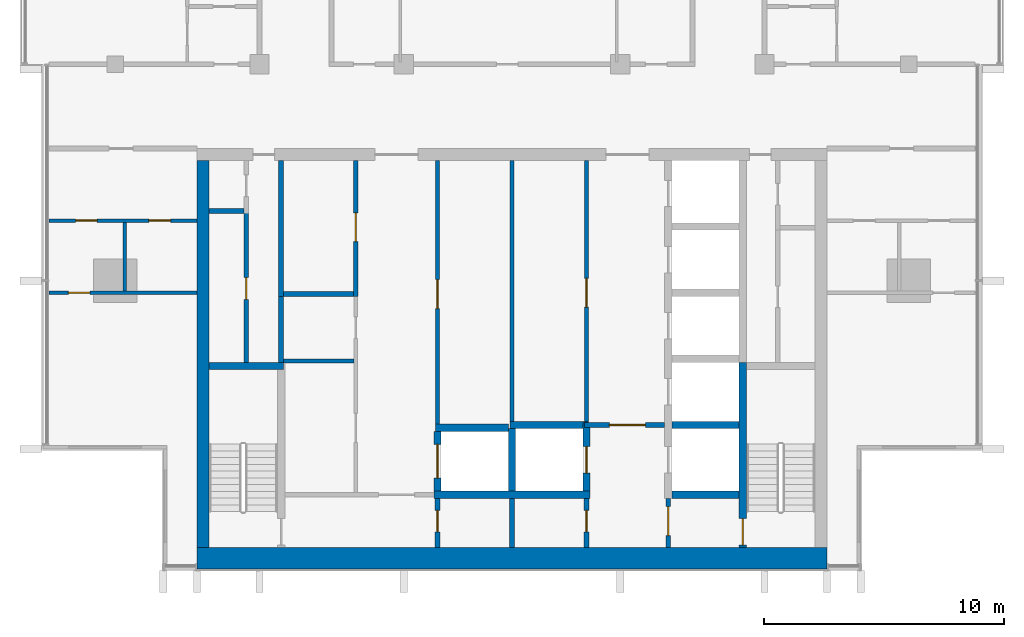
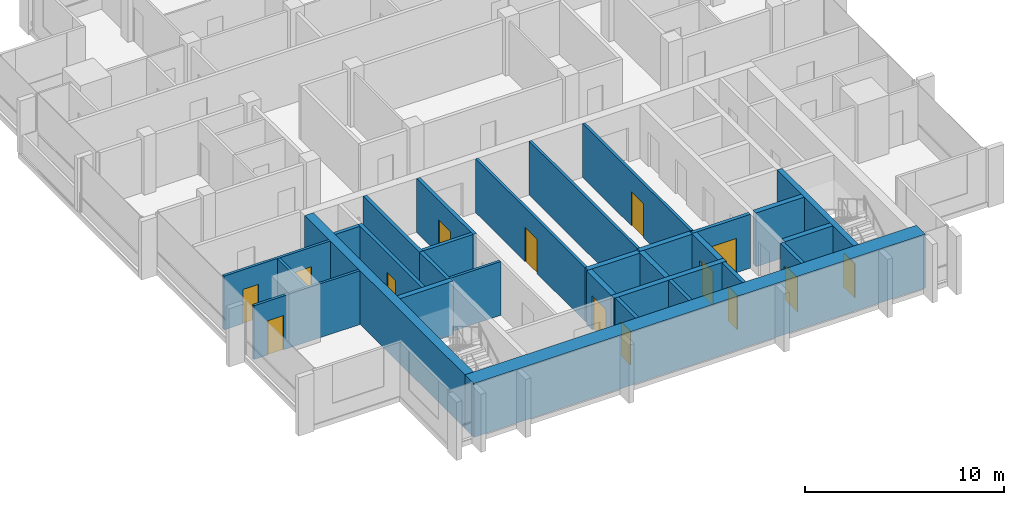
# One storey, part 7 of 16: 30 walls, 14 doors, 14 openings.
"""IFC4 building model written with IfcOpenShell, lengths in metres."""

from ifc_helpers import new_model, si_unit, direction, frame, frame_2d, origin, place, context, subcontext, project, spatial, rectangle, extrude, material, layer, layer_set, type_object, element, fill, save


model = new_model("IFC4")

# Units and contexts
model_context = context("Model", 3, precision=1e-05, world=origin(), true_north=direction((0.0, 1.0)))
body_context = subcontext(model_context, "Body", "Model", "MODEL_VIEW")
ifc_project = project(units=[si_unit("LENGTHUNIT", "METRE"), si_unit("AREAUNIT", "SQUARE_METRE"), si_unit("VOLUMEUNIT", "CUBIC_METRE"), si_unit("PLANEANGLEUNIT", "RADIAN"), si_unit("MASSUNIT", "GRAM", prefix="KILO")], contexts=[model_context])

# Site, building, storey
site_placement = place(None, origin())
site = spatial("IfcSite", under=ifc_project, at=site_placement, CompositionType="ELEMENT")
building_placement = place(site_placement, origin())
building = spatial("IfcBuilding", under=site, at=building_placement, Name="Finial Court Residences", CompositionType="ELEMENT")
storey_placement = place(building_placement, frame((0.0, 0.0, 284.300048828125)))
storey = spatial("IfcBuildingStorey", under=building, at=storey_placement, Name="L72", CompositionType="ELEMENT", Elevation=284.300048828125)

# Walls
ifc_material_1 = material(Name="Concrete C50/60", Category="concrete")
ifc_layer_1 = layer(ifc_material_1, 0.5)
ifc_layer_set_1 = layer_set([ifc_layer_1], Name="Core outer wall 500 Concrete C50/60")
wall_type_1 = type_object("IfcWallType", Name="Core outer wall 500 Concrete C50/60", PredefinedType="SHEAR", material=ifc_layer_set_1)
wall_1_placement = place(storey_placement, frame((-12.85009765625, -24.60009765625, 0.0), z_axis=(0.0, 0.0, 1.0), x_axis=(0.0, 1.0, 0.0)))
element("IfcWall", 1, at=wall_1_placement, inside=storey, type_object=wall_type_1, Name="Core outer wall L72-03", PredefinedType="SHEAR", context=body_context, shape_type="SweptSolid", body=[
    extrude(rectangle(XDim=16.10009765625, YDim=0.5, at=frame_2d((8.050048828125, 0.0))), origin(), (0.0, 0.0, 1.0), 3.300048828125),
])
ifc_material_2 = material(Name="Fire-rated gypsum board partition")
ifc_layer_2 = layer(ifc_material_2, 0.14990234375)
ifc_layer_set_2 = layer_set([ifc_layer_2], Name="Core room partition 150 EI 60")
wall_type_2 = type_object("IfcWallType", Name="Core room partition 150 EI 60", PredefinedType="PARTITIONING", material=ifc_layer_set_2)
wall_2_placement = place(storey_placement, frame((-9.5, -16.840087890625, 0.0), z_axis=(0.0, 0.0, 1.0), x_axis=(1.0, 0.0, 0.0)))
element("IfcWall", 2, at=wall_2_placement, inside=storey, type_object=wall_type_2, Name="Core partition L72-10", PredefinedType="PARTITIONING", context=body_context, shape_type="SweptSolid", body=[
    extrude(rectangle(XDim=2.925048828125, YDim=0.14990234375, at=frame_2d((1.46240234375, 0.0))), origin(), (0.0, 0.0, 1.0), 3.300048828125),
])

# Wall, opening, door
wall_3_placement = place(storey_placement, frame((-3.10009765625, -8.5, 0.0), z_axis=(0.0, 0.0, 1.0), x_axis=(0.0, -1.0, 0.0)))
wall_3 = element("IfcWall", 3, at=wall_3_placement, inside=storey, type_object=wall_type_2, Name="Core partition L72-26", PredefinedType="PARTITIONING", context=body_context, shape_type="SweptSolid", body=[
    extrude(rectangle(XDim=10.969970703125, YDim=0.14990234375, at=frame_2d((5.48486328125, 0.0))), origin(), (0.0, 0.0, 1.0), 3.300048828125),
])
opening_1_placement = place(wall_3_placement, frame((4.9599609375, 0.0, 0.0)))
opening_1 = element("IfcOpeningElement", 4, at=opening_1_placement, cuts=wall_3, Name="Opening L72-C17", PredefinedType="OPENING", context=body_context, shape_type="SweptSolid", body=[
    extrude(rectangle(XDim=1.199951171875, YDim=2.10009765625, at=frame_2d((0.60009765625, 1.050048828125))), frame((0.0, 0.0849609375, 0.0), z_axis=(0.0, -1.0, 0.0), x_axis=(1.0, 0.0, 0.0)), (0.0, 0.0, 1.0), 0.169921875),
])
ifc_material_3 = material(Name="Steel fire door", Category="steel")
door_type_1 = type_object("IfcDoorType", Name="Core room door 1200 x 2100 EI 60", OperationType="NOTDEFINED", PredefinedType="DOOR", material=ifc_material_3)
door_1_placement = place(opening_1_placement, origin())
door_1 = element("IfcDoor", 5, at=door_1_placement, inside=storey, type_object=door_type_1, Name="Core room door L72-C17", OperationType="SINGLE_SWING_RIGHT", OverallHeight=2.10009765625, OverallWidth=1.199951171875, PredefinedType="DOOR", context=body_context, shape_type="SweptSolid", body=[
    extrude(rectangle(XDim=1.199951171875, YDim=2.10009765625, at=frame_2d((0.60009765625, 1.050048828125))), frame((0.0, 0.02490234375, 0.0), z_axis=(0.0, -1.0, 0.0), x_axis=(1.0, 0.0, 0.0)), (0.0, 0.0, 1.0), 0.050048828125),
])
fill(opening_1, door_1)

# Wall
wall_4_placement = place(storey_placement, frame((0.0, -19.35009765625, 0.0), z_axis=(0.0, 0.0, 1.0), x_axis=(0.0, 1.0, 0.0)))
element("IfcWall", 6, at=wall_4_placement, inside=storey, type_object=wall_type_2, Name="Core partition L72-29", PredefinedType="PARTITIONING", context=body_context, shape_type="SweptSolid", body=[
    extrude(rectangle(XDim=10.85009765625, YDim=0.14990234375, at=frame_2d((5.425048828125, 0.0))), origin(), (0.0, 0.0, 1.0), 3.300048828125),
])

# Wall, opening, door
wall_5_placement = place(storey_placement, frame((3.10009765625, -19.39990234375, 0.0), z_axis=(0.0, 0.0, 1.0), x_axis=(0.0, 1.0, 0.0)))
wall_5 = element("IfcWall", 7, at=wall_5_placement, inside=storey, type_object=wall_type_2, Name="Core partition L72-32", PredefinedType="PARTITIONING", context=body_context, shape_type="SweptSolid", body=[
    extrude(rectangle(XDim=10.89990234375, YDim=0.14990234375, at=frame_2d((5.449951171875, 0.0))), origin(), (0.0, 0.0, 1.0), 3.300048828125),
])
opening_2_placement = place(wall_5_placement, frame((4.800048828125, 0.0, 0.0)))
opening_2 = element("IfcOpeningElement", 8, at=opening_2_placement, cuts=wall_5, Name="Opening L72-C18", PredefinedType="OPENING", context=body_context, shape_type="SweptSolid", body=[
    extrude(rectangle(XDim=1.199951171875, YDim=2.10009765625, at=frame_2d((0.60009765625, 1.050048828125))), frame((0.0, 0.0849609375, 0.0), z_axis=(0.0, -1.0, 0.0), x_axis=(1.0, 0.0, 0.0)), (0.0, 0.0, 1.0), 0.169921875),
])
door_2_placement = place(opening_2_placement, origin())
door_2 = element("IfcDoor", 9, at=door_2_placement, inside=storey, type_object=door_type_1, Name="Core room door L72-C18", OperationType="SINGLE_SWING_LEFT", OverallHeight=2.10009765625, OverallWidth=1.199951171875, PredefinedType="DOOR", context=body_context, shape_type="SweptSolid", body=[
    extrude(rectangle(XDim=1.199951171875, YDim=2.10009765625, at=frame_2d((0.60009765625, 1.050048828125))), frame((0.0, 0.02490234375, 0.0), z_axis=(0.0, -1.0, 0.0), x_axis=(1.0, 0.0, 0.0)), (0.0, 0.0, 1.0), 0.050048828125),
])
fill(opening_2, door_2)

# Wall
ifc_layer_3 = layer(ifc_material_1, 0.89990234375)
ifc_layer_set_3 = layer_set([ifc_layer_3], Name="Core south facade wall 900 Concrete C50/60")
wall_type_3 = type_object("IfcWallType", Name="Core south facade wall 900 Concrete C50/60", PredefinedType="SHEAR", material=ifc_layer_set_3)
wall_6_placement = place(storey_placement, frame((-13.10009765625, -25.050048828125, 0.0), z_axis=(0.0, 0.0, 1.0), x_axis=(1.0, 0.0, 0.0)))
element("IfcWall", 10, at=wall_6_placement, inside=storey, type_object=wall_type_3, Name="Core outer wall L72-01", PredefinedType="SHEAR", context=body_context, shape_type="SweptSolid", body=[
    extrude(rectangle(XDim=26.2001953125, YDim=0.89990234375, at=frame_2d((13.10009765625, 0.0))), origin(), (0.0, 0.0, 1.0), 3.300048828125),
])

# Wall, opening, door
ifc_layer_4 = layer(ifc_material_2, 0.199951171875)
ifc_layer_set_4 = layer_set([ifc_layer_4], Name="Firefighting lobby wall 200 EI 120")
wall_type_4 = type_object("IfcWallType", Name="Firefighting lobby wall 200 EI 120", PredefinedType="PARTITIONING", material=ifc_layer_set_4)
wall_7_placement = place(storey_placement, frame((6.35009765625, -19.5, 0.0), z_axis=(0.0, 0.0, 1.0), x_axis=(-1.0, 0.0, 0.0)))
wall_7 = element("IfcWall", 11, at=wall_7_placement, inside=storey, type_object=wall_type_4, Name="Core partition L72-06", PredefinedType="PARTITIONING", context=body_context, shape_type="SweptSolid", body=[
    extrude(rectangle(XDim=3.3251953125, YDim=0.199951171875, at=frame_2d((1.66259765625, 0.0))), origin(), (0.0, 0.0, 1.0), 3.300048828125),
])
opening_3_placement = place(wall_7_placement, frame((0.800048828125, 0.0, 0.0)))
opening_3 = element("IfcOpeningElement", 12, at=opening_3_placement, cuts=wall_7, Name="Opening L72-C02", PredefinedType="OPENING", context=body_context, shape_type="SweptSolid", body=[
    extrude(rectangle(XDim=1.5, YDim=2.10009765625, at=frame_2d((0.75, 1.050048828125))), frame((0.0, 0.10986328125, 0.0), z_axis=(0.0, -1.0, 0.0), x_axis=(1.0, 0.0, 0.0)), (0.0, 0.0, 1.0), 0.219970703125),
])
door_type_2 = type_object("IfcDoorType", Name="Firefighting lobby door 1500 x 2100 EI 90", OperationType="DOUBLE_DOOR_SINGLE_SWING", PredefinedType="DOOR", material=ifc_material_3)
door_3_placement = place(opening_3_placement, origin())
door_3 = element("IfcDoor", 13, at=door_3_placement, inside=storey, type_object=door_type_2, Name="Firefighting lobby door L72-C02", OperationType="DOUBLE_DOOR_SINGLE_SWING", OverallHeight=2.10009765625, OverallWidth=1.5, PredefinedType="DOOR", context=body_context, shape_type="SweptSolid", body=[
    extrude(rectangle(XDim=1.5, YDim=2.10009765625, at=frame_2d((0.75, 1.050048828125))), frame((0.0, 0.02490234375, 0.0), z_axis=(0.0, -1.0, 0.0), x_axis=(1.0, 0.0, 0.0)), (0.0, 0.0, 1.0), 0.050048828125),
])
fill(opening_3, door_3)

wall_8_placement = place(storey_placement, frame((3.10009765625, -24.60009765625, 0.0), z_axis=(0.0, 0.0, 1.0), x_axis=(0.0, 1.0, 0.0)))
wall_8 = element("IfcWall", 14, at=wall_8_placement, inside=storey, type_object=wall_type_4, Name="Core partition L72-30", PredefinedType="PARTITIONING", context=body_context, shape_type="SweptSolid", body=[
    extrude(rectangle(XDim=2.050048828125, YDim=0.199951171875, at=frame_2d((1.02490234375, 0.0))), origin(), (0.0, 0.0, 1.0), 3.300048828125),
])
opening_4_placement = place(wall_8_placement, frame((0.64990234375, 0.0, 0.0)))
opening_4 = element("IfcOpeningElement", 15, at=opening_4_placement, cuts=wall_8, Name="Opening L72-C06", PredefinedType="OPENING", context=body_context, shape_type="SweptSolid", body=[
    extrude(rectangle(XDim=0.89990234375, YDim=2.10009765625, at=frame_2d((0.449951171875, 1.050048828125))), frame((0.0, 0.10986328125, 0.0), z_axis=(0.0, -1.0, 0.0), x_axis=(1.0, 0.0, 0.0)), (0.0, 0.0, 1.0), 0.219970703125),
])
door_type_3 = type_object("IfcDoorType", Name="Riser room door 900 x 2100 EI 90", OperationType="NOTDEFINED", PredefinedType="DOOR", material=ifc_material_3)
door_4_placement = place(opening_4_placement, origin())
door_4 = element("IfcDoor", 16, at=door_4_placement, inside=storey, type_object=door_type_3, Name="Riser room door L72-C06", OperationType="SINGLE_SWING_LEFT", OverallHeight=2.10009765625, OverallWidth=0.89990234375, PredefinedType="DOOR", context=body_context, shape_type="SweptSolid", body=[
    extrude(rectangle(XDim=0.89990234375, YDim=2.10009765625, at=frame_2d((0.449951171875, 1.050048828125))), frame((0.0, 0.02490234375, 0.0), z_axis=(0.0, -1.0, 0.0), x_axis=(1.0, 0.0, 0.0)), (0.0, 0.0, 1.0), 0.050048828125),
])
fill(opening_4, door_4)

wall_9_placement = place(storey_placement, frame((6.5, -22.550048828125, 0.0), z_axis=(0.0, 0.0, 1.0), x_axis=(0.0, -1.0, 0.0)))
wall_9 = element("IfcWall", 17, at=wall_9_placement, inside=storey, type_object=wall_type_4, Name="Core partition L72-33", PredefinedType="PARTITIONING", context=body_context, shape_type="SweptSolid", body=[
    extrude(rectangle(XDim=2.050048828125, YDim=0.199951171875, at=frame_2d((1.02490234375, 0.0))), origin(), (0.0, 0.0, 1.0), 3.300048828125),
])
opening_5_placement = place(wall_9_placement, frame((0.35009765625, 0.0, 0.0)))
opening_5 = element("IfcOpeningElement", 18, at=opening_5_placement, cuts=wall_9, Name="Opening L72-C01", PredefinedType="OPENING", context=body_context, shape_type="SweptSolid", body=[
    extrude(rectangle(XDim=1.199951171875, YDim=2.10009765625, at=frame_2d((0.60009765625, 1.050048828125))), frame((0.0, 0.10986328125, 0.0), z_axis=(0.0, -1.0, 0.0), x_axis=(1.0, 0.0, 0.0)), (0.0, 0.0, 1.0), 0.219970703125),
])
door_type_4 = type_object("IfcDoorType", Name="Firefighting lobby door 1200 x 2100 EI 90", OperationType="NOTDEFINED", PredefinedType="DOOR", material=ifc_material_3)
door_5_placement = place(opening_5_placement, origin())
door_5 = element("IfcDoor", 19, at=door_5_placement, inside=storey, type_object=door_type_4, Name="Firefighting lobby door L72-C01", OperationType="SINGLE_SWING_RIGHT", OverallHeight=2.10009765625, OverallWidth=1.199951171875, PredefinedType="DOOR", context=body_context, shape_type="SweptSolid", body=[
    extrude(rectangle(XDim=1.199951171875, YDim=2.10009765625, at=frame_2d((0.60009765625, 1.050048828125))), frame((0.0, 0.02490234375, 0.0), z_axis=(0.0, -1.0, 0.0), x_axis=(1.0, 0.0, 0.0)), (0.0, 0.0, 1.0), 0.050048828125),
])
fill(opening_5, door_5)

ifc_material_4 = material(Name="Moisture-resistant gypsum board")
ifc_layer_5 = layer(ifc_material_4, 0.012451171875)
ifc_material_5 = material(Name="Mineral wool in light-gauge frame")
ifc_layer_6 = layer(ifc_material_5, 0.125)
ifc_layer_7 = layer(ifc_material_4, 0.012451171875)
ifc_layer_set_5 = layer_set([ifc_layer_5, ifc_layer_6, ifc_layer_7], Name="Gypsum board wet-area partition 150")
wall_type_5 = type_object("IfcWallType", Name="Gypsum board wet-area partition 150", PredefinedType="PARTITIONING", material=ifc_layer_set_5)
wall_10_placement = place(storey_placement, frame((-19.262451171875, -14.0, 0.0), z_axis=(0.0, 0.0, 1.0), x_axis=(1.0, 0.0, 0.0)))
wall_10 = element("IfcWall", 20, at=wall_10_placement, inside=storey, type_object=wall_type_5, Name="Partition L72-000", PredefinedType="PARTITIONING", context=body_context, shape_type="SweptSolid", body=[
    extrude(rectangle(XDim=6.162353515625, YDim=0.14990234375, at=frame_2d((3.0810546875, 0.0))), origin(), (0.0, 0.0, 1.0), 3.300048828125),
])
opening_6_placement = place(wall_10_placement, frame((0.81201171875, 0.0, 0.0)))
opening_6 = element("IfcOpeningElement", 21, at=opening_6_placement, cuts=wall_10, Name="Opening L72-D001", PredefinedType="OPENING", context=body_context, shape_type="SweptSolid", body=[
    extrude(rectangle(XDim=0.89990234375, YDim=2.10009765625, at=frame_2d((0.449951171875, 1.050048828125))), frame((0.0, 0.0849609375, 0.0), z_axis=(0.0, -1.0, 0.0), x_axis=(1.0, 0.0, 0.0)), (0.0, 0.0, 1.0), 0.169921875),
])
ifc_material_6 = material(Name="Timber door leaf in timber frame", Category="wood")
door_type_5 = type_object("IfcDoorType", Name="Door set 900 x 2100", OperationType="SINGLE_SWING_LEFT", PredefinedType="DOOR", material=ifc_material_6)
door_6_placement = place(opening_6_placement, origin())
door_6 = element("IfcDoor", 22, at=door_6_placement, inside=storey, type_object=door_type_5, Name="Door L72-D001", OperationType="SINGLE_SWING_LEFT", OverallHeight=2.10009765625, OverallWidth=0.89990234375, PredefinedType="DOOR", context=body_context, shape_type="SweptSolid", body=[
    extrude(rectangle(XDim=0.89990234375, YDim=2.10009765625, at=frame_2d((0.449951171875, 1.050048828125))), frame((0.0, 0.02490234375, 0.0), z_axis=(0.0, -1.0, 0.0), x_axis=(1.0, 0.0, 0.0)), (0.0, 0.0, 1.0), 0.050048828125),
])
fill(opening_6, door_6)

# Wall, openings, doors
wall_11_placement = place(storey_placement, frame((-19.262451171875, -11.0, 0.0), z_axis=(0.0, 0.0, 1.0), x_axis=(1.0, 0.0, 0.0)))
wall_11 = element("IfcWall", 23, at=wall_11_placement, inside=storey, type_object=wall_type_5, Name="Partition L72-002", PredefinedType="PARTITIONING", context=body_context, shape_type="SweptSolid", body=[
    extrude(rectangle(XDim=6.162353515625, YDim=0.14990234375, at=frame_2d((3.0810546875, 0.0))), origin(), (0.0, 0.0, 1.0), 3.300048828125),
])
opening_7_placement = place(wall_11_placement, frame((1.113037109375, 0.0, 0.0)))
opening_7 = element("IfcOpeningElement", 24, at=opening_7_placement, cuts=wall_11, Name="Opening L72-D003", PredefinedType="OPENING", context=body_context, shape_type="SweptSolid", body=[
    extrude(rectangle(XDim=0.89990234375, YDim=2.10009765625, at=frame_2d((0.449951171875, 1.050048828125))), frame((0.0, 0.0849609375, 0.0), z_axis=(0.0, -1.0, 0.0), x_axis=(1.0, 0.0, 0.0)), (0.0, 0.0, 1.0), 0.169921875),
])
opening_8_placement = place(wall_11_placement, frame((4.162109375, 0.0, 0.0)))
opening_8 = element("IfcOpeningElement", 25, at=opening_8_placement, cuts=wall_11, Name="Opening L72-D004", PredefinedType="OPENING", context=body_context, shape_type="SweptSolid", body=[
    extrude(rectangle(XDim=0.89990234375, YDim=2.10009765625, at=frame_2d((0.449951171875, 1.050048828125))), frame((0.0, 0.0849609375, 0.0), z_axis=(0.0, -1.0, 0.0), x_axis=(1.0, 0.0, 0.0)), (0.0, 0.0, 1.0), 0.169921875),
])
door_7_placement = place(opening_7_placement, origin())
door_7 = element("IfcDoor", 26, at=door_7_placement, inside=storey, type_object=door_type_5, Name="Door L72-D003", OperationType="SINGLE_SWING_LEFT", OverallHeight=2.10009765625, OverallWidth=0.89990234375, PredefinedType="DOOR", context=body_context, shape_type="SweptSolid", body=[
    extrude(rectangle(XDim=0.89990234375, YDim=2.10009765625, at=frame_2d((0.449951171875, 1.050048828125))), frame((0.0, 0.02490234375, 0.0), z_axis=(0.0, -1.0, 0.0), x_axis=(1.0, 0.0, 0.0)), (0.0, 0.0, 1.0), 0.050048828125),
])
fill(opening_7, door_7)
door_8_placement = place(opening_8_placement, origin())
door_8 = element("IfcDoor", 27, at=door_8_placement, inside=storey, type_object=door_type_5, Name="Door L72-D004", OperationType="SINGLE_SWING_RIGHT", OverallHeight=2.10009765625, OverallWidth=0.89990234375, PredefinedType="DOOR", context=body_context, shape_type="SweptSolid", body=[
    extrude(rectangle(XDim=0.89990234375, YDim=2.10009765625, at=frame_2d((0.449951171875, 1.050048828125))), frame((0.0, 0.02490234375, 0.0), z_axis=(0.0, -1.0, 0.0), x_axis=(1.0, 0.0, 0.0)), (0.0, 0.0, 1.0), 0.050048828125),
])
fill(opening_8, door_8)

# Walls
wall_12_placement = place(storey_placement, frame((-16.10009765625, -13.925048828125, 0.0), z_axis=(0.0, 0.0, 1.0), x_axis=(0.0, 1.0, 0.0)))
element("IfcWall", 28, at=wall_12_placement, inside=storey, type_object=wall_type_5, Name="Partition L72-031", PredefinedType="PARTITIONING", context=body_context, shape_type="SweptSolid", body=[
    extrude(rectangle(XDim=2.85009765625, YDim=0.14990234375, at=frame_2d((1.425048828125, 0.0))), origin(), (0.0, 0.0, 1.0), 3.300048828125),
])
ifc_layer_8 = layer(ifc_material_1, 0.300048828125)
ifc_layer_set_6 = layer_set([ifc_layer_8], Name="Lift shaft and stair wall 300 Concrete C50/60")
wall_type_6 = type_object("IfcWallType", Name="Lift shaft and stair wall 300 Concrete C50/60", PredefinedType="SHEAR", material=ifc_layer_set_6)
wall_13_placement = place(storey_placement, frame((-3.25, -22.39990234375, 0.0), z_axis=(0.0, 0.0, 1.0), x_axis=(1.0, 0.0, 0.0)))
element("IfcWall", 29, at=wall_13_placement, inside=storey, type_object=wall_type_6, Name="Core wall L72-02", PredefinedType="SHEAR", context=body_context, shape_type="SweptSolid", body=[
    extrude(rectangle(XDim=6.5, YDim=0.300048828125, at=frame_2d((3.25, 0.0))), origin(), (0.0, 0.0, 1.0), 3.300048828125),
])
wall_14_placement = place(storey_placement, frame((6.64990234375, -22.39990234375, 0.0), z_axis=(0.0, 0.0, 1.0), x_axis=(1.0, 0.0, 0.0)))
element("IfcWall", 30, at=wall_14_placement, inside=storey, type_object=wall_type_6, Name="Core wall L72-03", PredefinedType="SHEAR", context=body_context, shape_type="SweptSolid", body=[
    extrude(rectangle(XDim=2.800048828125, YDim=0.300048828125, at=frame_2d((1.39990234375, 0.0))), origin(), (0.0, 0.0, 1.0), 3.300048828125),
])
wall_15_placement = place(storey_placement, frame((-3.175048828125, -19.6201171875, 0.0), z_axis=(0.0, 0.0, 1.0), x_axis=(1.0, 0.0, 0.0)))
element("IfcWall", 31, at=wall_15_placement, inside=storey, type_object=wall_type_6, Name="Core wall L72-04", PredefinedType="SHEAR", context=body_context, shape_type="SweptSolid", body=[
    extrude(rectangle(XDim=3.025146484375, YDim=0.300048828125, at=frame_2d((1.5126953125, 0.0))), origin(), (0.0, 0.0, 1.0), 3.300048828125),
])
wall_16_placement = place(storey_placement, frame((-0.074951171875, -19.5, 0.0), z_axis=(0.0, 0.0, 1.0), x_axis=(1.0, 0.0, 0.0)))
element("IfcWall", 32, at=wall_16_placement, inside=storey, type_object=wall_type_6, Name="Core wall L72-05", PredefinedType="SHEAR", context=body_context, shape_type="SweptSolid", body=[
    extrude(rectangle(XDim=3.25, YDim=0.300048828125, at=frame_2d((1.625, 0.0))), origin(), (0.0, 0.0, 1.0), 3.300048828125),
])
wall_17_placement = place(storey_placement, frame((6.64990234375, -19.5, 0.0), z_axis=(0.0, 0.0, 1.0), x_axis=(1.0, 0.0, 0.0)))
element("IfcWall", 33, at=wall_17_placement, inside=storey, type_object=wall_type_6, Name="Core wall L72-07", PredefinedType="SHEAR", context=body_context, shape_type="SweptSolid", body=[
    extrude(rectangle(XDim=2.800048828125, YDim=0.300048828125, at=frame_2d((1.39990234375, 0.0))), origin(), (0.0, 0.0, 1.0), 3.300048828125),
])
wall_18_placement = place(storey_placement, frame((-12.60009765625, -17.050048828125, 0.0), z_axis=(0.0, 0.0, 1.0), x_axis=(1.0, 0.0, 0.0)))
element("IfcWall", 34, at=wall_18_placement, inside=storey, type_object=wall_type_6, Name="Core wall L72-08", PredefinedType="SHEAR", context=body_context, shape_type="SweptSolid", body=[
    extrude(rectangle(XDim=3.10009765625, YDim=0.300048828125, at=frame_2d((1.550048828125, 0.0))), origin(), (0.0, 0.0, 1.0), 3.300048828125),
])

# Wall, opening, door
wall_19_placement = place(storey_placement, frame((-3.10009765625, -22.25, 0.0), z_axis=(0.0, 0.0, 1.0), x_axis=(0.0, 1.0, 0.0)))
wall_19 = element("IfcWall", 35, at=wall_19_placement, inside=storey, type_object=wall_type_6, Name="Core wall L72-25", PredefinedType="SHEAR", context=body_context, shape_type="SweptSolid", body=[
    extrude(rectangle(XDim=2.47998046875, YDim=0.300048828125, at=frame_2d((1.239990234375, 0.0))), origin(), (0.0, 0.0, 1.0), 3.300048828125),
])
opening_9_placement = place(wall_19_placement, frame((0.5400390625, 0.0, 0.0)))
opening_9 = element("IfcOpeningElement", 36, at=opening_9_placement, cuts=wall_19, Name="Opening L72-LD07", PredefinedType="OPENING", context=body_context, shape_type="SweptSolid", body=[
    extrude(rectangle(XDim=1.39990234375, YDim=2.10009765625, at=frame_2d((0.699951171875, 1.050048828125))), frame((0.0, 0.159912109375, 0.0), z_axis=(0.0, -1.0, 0.0), x_axis=(1.0, 0.0, 0.0)), (0.0, 0.0, 1.0), 0.320068359375),
])
ifc_material_7 = material(Name="Stainless steel lift door", Category="steel")
door_type_6 = type_object("IfcDoorType", Name="Lift landing door 1400 x 2100 EI 90", OperationType="DOUBLE_DOOR_SLIDING", PredefinedType="DOOR", material=ifc_material_7)
door_9_placement = place(opening_9_placement, origin())
door_9 = element("IfcDoor", 37, at=door_9_placement, inside=storey, type_object=door_type_6, Name="Lift landing door SV1 L72", OperationType="DOUBLE_DOOR_SLIDING", OverallHeight=2.10009765625, OverallWidth=1.39990234375, PredefinedType="DOOR", context=body_context, shape_type="SweptSolid", body=[
    extrude(rectangle(XDim=1.39990234375, YDim=2.10009765625, at=frame_2d((0.699951171875, 1.050048828125))), frame((0.0, 0.02490234375, 0.0), z_axis=(0.0, -1.0, 0.0), x_axis=(1.0, 0.0, 0.0)), (0.0, 0.0, 1.0), 0.050048828125),
])
fill(opening_9, door_9)

# Wall
wall_20_placement = place(storey_placement, frame((0.0, -22.25, 0.0), z_axis=(0.0, 0.0, 1.0), x_axis=(0.0, 1.0, 0.0)))
element("IfcWall", 38, at=wall_20_placement, inside=storey, type_object=wall_type_6, Name="Core wall L72-28", PredefinedType="SHEAR", context=body_context, shape_type="SweptSolid", body=[
    extrude(rectangle(XDim=2.60009765625, YDim=0.300048828125, at=frame_2d((1.300048828125, 0.0))), origin(), (0.0, 0.0, 1.0), 3.300048828125),
])

# Wall, opening, door
wall_21_placement = place(storey_placement, frame((3.10009765625, -22.25, 0.0), z_axis=(0.0, 0.0, 1.0), x_axis=(0.0, 1.0, 0.0)))
wall_21 = element("IfcWall", 39, at=wall_21_placement, inside=storey, type_object=wall_type_6, Name="Core wall L72-31", PredefinedType="SHEAR", context=body_context, shape_type="SweptSolid", body=[
    extrude(rectangle(XDim=2.85009765625, YDim=0.300048828125, at=frame_2d((1.425048828125, 0.0))), origin(), (0.0, 0.0, 1.0), 3.300048828125),
])
opening_10_placement = place(wall_21_placement, frame((0.75, 0.0, 0.0)))
opening_10 = element("IfcOpeningElement", 40, at=opening_10_placement, cuts=wall_21, Name="Opening L72-LD01", PredefinedType="OPENING", context=body_context, shape_type="SweptSolid", body=[
    extrude(rectangle(XDim=1.10009765625, YDim=2.10009765625, at=frame_2d((0.550048828125, 1.050048828125))), frame((0.0, 0.159912109375, 0.0), z_axis=(0.0, -1.0, 0.0), x_axis=(1.0, 0.0, 0.0)), (0.0, 0.0, 1.0), 0.320068359375),
])
door_type_7 = type_object("IfcDoorType", Name="Lift landing door 1100 x 2100 EI 90", OperationType="DOUBLE_DOOR_SLIDING", PredefinedType="DOOR", material=ifc_material_7)
door_10_placement = place(opening_10_placement, origin())
door_10 = element("IfcDoor", 41, at=door_10_placement, inside=storey, type_object=door_type_7, Name="Lift landing door FF1 L72", OperationType="DOUBLE_DOOR_SLIDING", OverallHeight=2.10009765625, OverallWidth=1.10009765625, PredefinedType="DOOR", context=body_context, shape_type="SweptSolid", body=[
    extrude(rectangle(XDim=1.10009765625, YDim=2.10009765625, at=frame_2d((0.550048828125, 1.050048828125))), frame((0.0, 0.02490234375, 0.0), z_axis=(0.0, -1.0, 0.0), x_axis=(1.0, 0.0, 0.0)), (0.0, 0.0, 1.0), 0.050048828125),
])
fill(opening_10, door_10)

wall_22_placement = place(storey_placement, frame((9.60009765625, -16.89990234375, 0.0), z_axis=(0.0, 0.0, 1.0), x_axis=(0.0, -1.0, 0.0)))
wall_22 = element("IfcWall", 42, at=wall_22_placement, inside=storey, type_object=wall_type_6, Name="Core wall L72-35", PredefinedType="SHEAR", context=body_context, shape_type="SweptSolid", body=[
    extrude(rectangle(XDim=7.7001953125, YDim=0.300048828125, at=frame_2d((3.85009765625, 0.0))), origin(), (0.0, 0.0, 1.0), 3.300048828125),
])
opening_11_placement = place(wall_22_placement, frame((6.5, 0.0, 0.0)))
opening_11 = element("IfcOpeningElement", 43, at=opening_11_placement, cuts=wall_22, Name="Opening L72-C20", PredefinedType="OPENING", context=body_context, shape_type="SweptSolid", body=[
    extrude(rectangle(XDim=1.10009765625, YDim=2.10009765625, at=frame_2d((0.550048828125, 1.050048828125))), frame((0.0, 0.159912109375, 0.0), z_axis=(0.0, -1.0, 0.0), x_axis=(1.0, 0.0, 0.0)), (0.0, 0.0, 1.0), 0.320068359375),
])
door_type_8 = type_object("IfcDoorType", Name="Stair door 1100 x 2100 EI 90", OperationType="NOTDEFINED", PredefinedType="DOOR", material=ifc_material_3)
door_11_placement = place(opening_11_placement, origin())
door_11 = element("IfcDoor", 44, at=door_11_placement, inside=storey, type_object=door_type_8, Name="Stair door L72-C20", OperationType="SINGLE_SWING_RIGHT", OverallHeight=2.10009765625, OverallWidth=1.10009765625, PredefinedType="DOOR", context=body_context, shape_type="SweptSolid", body=[
    extrude(rectangle(XDim=1.10009765625, YDim=2.10009765625, at=frame_2d((0.550048828125, 1.050048828125))), frame((0.0, 0.02490234375, 0.0), z_axis=(0.0, -1.0, 0.0), x_axis=(1.0, 0.0, 0.0)), (0.0, 0.0, 1.0), 0.050048828125),
])
fill(opening_11, door_11)

# Walls
ifc_layer_9 = layer(ifc_material_2, 0.199951171875)
ifc_layer_set_7 = layer_set([ifc_layer_9], Name="Riser room wall 200 EI 120")
wall_type_7 = type_object("IfcWallType", Name="Riser room wall 200 EI 120", PredefinedType="PARTITIONING", material=ifc_layer_set_7)
wall_23_placement = place(storey_placement, frame((-9.5, -14.06005859375, 0.0), z_axis=(0.0, 0.0, 1.0), x_axis=(1.0, 0.0, 0.0)))
element("IfcWall", 45, at=wall_23_placement, inside=storey, type_object=wall_type_7, Name="Core partition L72-12", PredefinedType="PARTITIONING", context=body_context, shape_type="SweptSolid", body=[
    extrude(rectangle(XDim=2.89990234375, YDim=0.199951171875, at=frame_2d((1.449951171875, 0.0))), origin(), (0.0, 0.0, 1.0), 3.300048828125),
])
wall_24_placement = place(storey_placement, frame((-12.60009765625, -10.60009765625, 0.0), z_axis=(0.0, 0.0, 1.0), x_axis=(1.0, 0.0, 0.0)))
element("IfcWall", 46, at=wall_24_placement, inside=storey, type_object=wall_type_7, Name="Core partition L72-16", PredefinedType="PARTITIONING", context=body_context, shape_type="SweptSolid", body=[
    extrude(rectangle(XDim=1.4501953125, YDim=0.199951171875, at=frame_2d((0.72509765625, 0.0))), origin(), (0.0, 0.0, 1.0), 3.300048828125),
])
wall_25_placement = place(storey_placement, frame((-9.60009765625, -14.159912109375, 0.0), z_axis=(0.0, 0.0, 1.0), x_axis=(0.0, 1.0, 0.0)))
element("IfcWall", 47, at=wall_25_placement, inside=storey, type_object=wall_type_7, Name="Core partition L72-21", PredefinedType="PARTITIONING", context=body_context, shape_type="SweptSolid", body=[
    extrude(rectangle(XDim=5.659912109375, YDim=0.199951171875, at=frame_2d((2.830078125, 0.0))), origin(), (0.0, 0.0, 1.0), 3.300048828125),
])

# Wall, opening, door
wall_26_placement = place(storey_placement, frame((-6.5, -14.159912109375, 0.0), z_axis=(0.0, 0.0, 1.0), x_axis=(0.0, 1.0, 0.0)))
wall_26 = element("IfcWall", 48, at=wall_26_placement, inside=storey, type_object=wall_type_7, Name="Core partition L72-23", PredefinedType="PARTITIONING", context=body_context, shape_type="SweptSolid", body=[
    extrude(rectangle(XDim=5.659912109375, YDim=0.199951171875, at=frame_2d((2.830078125, 0.0))), origin(), (0.0, 0.0, 1.0), 3.300048828125),
])
opening_12_placement = place(wall_26_placement, frame((2.280029296875, 0.0, 0.0)))
opening_12 = element("IfcOpeningElement", 49, at=opening_12_placement, cuts=wall_26, Name="Opening L72-C09", PredefinedType="OPENING", context=body_context, shape_type="SweptSolid", body=[
    extrude(rectangle(XDim=1.199951171875, YDim=2.10009765625, at=frame_2d((0.60009765625, 1.050048828125))), frame((0.0, 0.10986328125, 0.0), z_axis=(0.0, -1.0, 0.0), x_axis=(1.0, 0.0, 0.0)), (0.0, 0.0, 1.0), 0.219970703125),
])
door_type_9 = type_object("IfcDoorType", Name="Riser room door 1200 x 2100 EI 90", OperationType="NOTDEFINED", PredefinedType="DOOR", material=ifc_material_3)
door_12_placement = place(opening_12_placement, origin())
door_12 = element("IfcDoor", 50, at=door_12_placement, inside=storey, type_object=door_type_9, Name="Riser room door L72-C09", OperationType="SINGLE_SWING_RIGHT", OverallHeight=2.10009765625, OverallWidth=1.199951171875, PredefinedType="DOOR", context=body_context, shape_type="SweptSolid", body=[
    extrude(rectangle(XDim=1.199951171875, YDim=2.10009765625, at=frame_2d((0.60009765625, 1.050048828125))), frame((0.0, 0.02490234375, 0.0), z_axis=(0.0, -1.0, 0.0), x_axis=(1.0, 0.0, 0.0)), (0.0, 0.0, 1.0), 0.050048828125),
])
fill(opening_12, door_12)

# Wall
wall_27_placement = place(storey_placement, frame((0.0, -24.60009765625, 0.0), z_axis=(0.0, 0.0, 1.0), x_axis=(0.0, 1.0, 0.0)))
element("IfcWall", 51, at=wall_27_placement, inside=storey, type_object=wall_type_7, Name="Core partition L72-27", PredefinedType="PARTITIONING", context=body_context, shape_type="SweptSolid", body=[
    extrude(rectangle(XDim=2.050048828125, YDim=0.199951171875, at=frame_2d((1.02490234375, 0.0))), origin(), (0.0, 0.0, 1.0), 3.300048828125),
])

# Wall, opening, door
ifc_layer_10 = layer(ifc_material_2, 0.199951171875)
ifc_layer_set_8 = layer_set([ifc_layer_10], Name="Stair passage wall 200 EI 180")
wall_type_8 = type_object("IfcWallType", Name="Stair passage wall 200 EI 180", PredefinedType="PARTITIONING", material=ifc_layer_set_8)
wall_28_placement = place(storey_placement, frame((-11.050048828125, -16.89990234375, 0.0), z_axis=(0.0, 0.0, 1.0), x_axis=(0.0, 1.0, 0.0)))
wall_28 = element("IfcWall", 52, at=wall_28_placement, inside=storey, type_object=wall_type_8, Name="Core partition L72-17", PredefinedType="PARTITIONING", context=body_context, shape_type="SweptSolid", body=[
    extrude(rectangle(XDim=6.39990234375, YDim=0.199951171875, at=frame_2d((3.199951171875, 0.0))), origin(), (0.0, 0.0, 1.0), 3.300048828125),
])
opening_13_placement = place(wall_28_placement, frame((2.625, 0.0, 0.0)))
opening_13 = element("IfcOpeningElement", 53, at=opening_13_placement, cuts=wall_28, Name="Opening L72-C13", PredefinedType="OPENING", context=body_context, shape_type="SweptSolid", body=[
    extrude(rectangle(XDim=0.89990234375, YDim=2.10009765625, at=frame_2d((0.449951171875, 1.050048828125))), frame((0.0, 0.10986328125, 0.0), z_axis=(0.0, -1.0, 0.0), x_axis=(1.0, 0.0, 0.0)), (0.0, 0.0, 1.0), 0.219970703125),
])
door_type_10 = type_object("IfcDoorType", Name="Core room door 900 x 2100 EI 60", OperationType="NOTDEFINED", PredefinedType="DOOR", material=ifc_material_3)
door_13_placement = place(opening_13_placement, origin())
door_13 = element("IfcDoor", 54, at=door_13_placement, inside=storey, type_object=door_type_10, Name="Core room door L72-C13", OperationType="SINGLE_SWING_RIGHT", OverallHeight=2.10009765625, OverallWidth=0.89990234375, PredefinedType="DOOR", context=body_context, shape_type="SweptSolid", body=[
    extrude(rectangle(XDim=0.89990234375, YDim=2.10009765625, at=frame_2d((0.449951171875, 1.050048828125))), frame((0.0, 0.02490234375, 0.0), z_axis=(0.0, -1.0, 0.0), x_axis=(1.0, 0.0, 0.0)), (0.0, 0.0, 1.0), 0.050048828125),
])
fill(opening_13, door_13)

# Wall
wall_29_placement = place(storey_placement, frame((-9.60009765625, -16.89990234375, 0.0), z_axis=(0.0, 0.0, 1.0), x_axis=(0.0, 1.0, 0.0)))
element("IfcWall", 55, at=wall_29_placement, inside=storey, type_object=wall_type_8, Name="Core partition L72-20", PredefinedType="PARTITIONING", context=body_context, shape_type="SweptSolid", body=[
    extrude(rectangle(XDim=2.739990234375, YDim=0.199951171875, at=frame_2d((1.3701171875, 0.0))), origin(), (0.0, 0.0, 1.0), 3.300048828125),
])

# Wall, opening, door
wall_30_placement = place(storey_placement, frame((-3.10009765625, -22.550048828125, 0.0), z_axis=(0.0, 0.0, 1.0), x_axis=(0.0, -1.0, 0.0)))
wall_30 = element("IfcWall", 56, at=wall_30_placement, inside=storey, type_object=wall_type_8, Name="Core partition L72-24", PredefinedType="PARTITIONING", context=body_context, shape_type="SweptSolid", body=[
    extrude(rectangle(XDim=2.050048828125, YDim=0.199951171875, at=frame_2d((1.02490234375, 0.0))), origin(), (0.0, 0.0, 1.0), 3.300048828125),
])
opening_14_placement = place(wall_30_placement, frame((0.5, 0.0, 0.0)))
opening_14 = element("IfcOpeningElement", 57, at=opening_14_placement, cuts=wall_30, Name="Opening L72-C12", PredefinedType="OPENING", context=body_context, shape_type="SweptSolid", body=[
    extrude(rectangle(XDim=0.89990234375, YDim=2.10009765625, at=frame_2d((0.449951171875, 1.050048828125))), frame((0.0, 0.10986328125, 0.0), z_axis=(0.0, -1.0, 0.0), x_axis=(1.0, 0.0, 0.0)), (0.0, 0.0, 1.0), 0.219970703125),
])
door_14_placement = place(opening_14_placement, origin())
door_14 = element("IfcDoor", 58, at=door_14_placement, inside=storey, type_object=door_type_10, Name="Core room door L72-C12", OperationType="SINGLE_SWING_RIGHT", OverallHeight=2.10009765625, OverallWidth=0.89990234375, PredefinedType="DOOR", context=body_context, shape_type="SweptSolid", body=[
    extrude(rectangle(XDim=0.89990234375, YDim=2.10009765625, at=frame_2d((0.449951171875, 1.050048828125))), frame((0.0, 0.02490234375, 0.0), z_axis=(0.0, -1.0, 0.0), x_axis=(1.0, 0.0, 0.0)), (0.0, 0.0, 1.0), 0.050048828125),
])
fill(opening_14, door_14)

save(model, "model.ifc")
